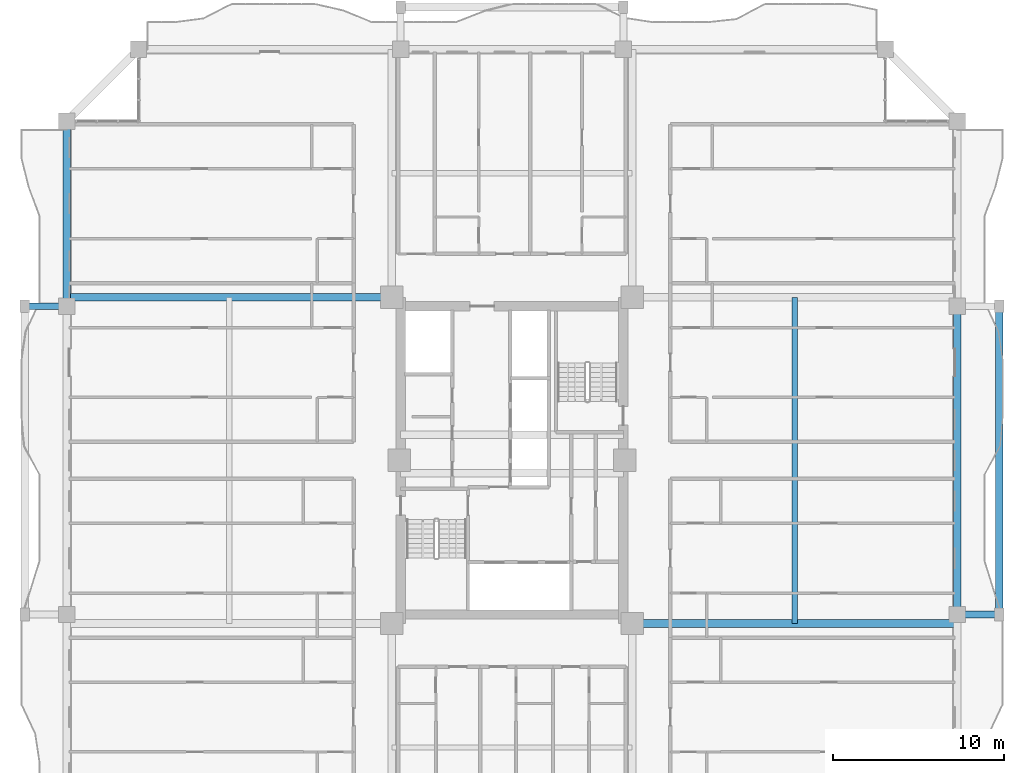
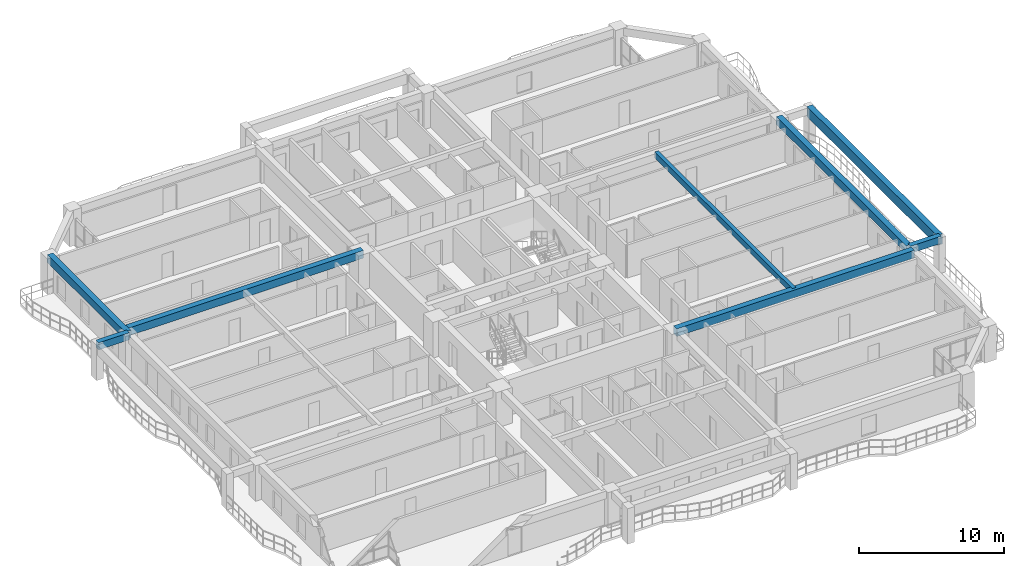
# One storey, part 5 of 25: 8 beams.
"""IFC4 building model written with IfcOpenShell, lengths in metres."""

from ifc_helpers import new_model, si_unit, direction, frame, origin, origin_2d, place, context, subcontext, project, spatial, rectangle, extrude, source, transform, mapped, material, material_profile, profile_set, type_object, element, save


model = new_model("IFC4")

# Units and contexts
model_context = context("Model", 3, precision=1e-05, world=origin(), true_north=direction((0.0, 1.0)))
body_context = subcontext(model_context, "Body", "Model", "MODEL_VIEW")
ifc_project = project(units=[si_unit("LENGTHUNIT", "METRE"), si_unit("AREAUNIT", "SQUARE_METRE"), si_unit("VOLUMEUNIT", "CUBIC_METRE"), si_unit("PLANEANGLEUNIT", "RADIAN"), si_unit("MASSUNIT", "GRAM", prefix="KILO")], contexts=[model_context])

# Site, building, storey
site_placement = place(None, origin())
site = spatial("IfcSite", under=ifc_project, at=site_placement, CompositionType="ELEMENT")
building_placement = place(site_placement, origin())
building = spatial("IfcBuilding", under=site, at=building_placement, Name="Saelheon Loggia Tower", CompositionType="ELEMENT")
storey_placement = place(building_placement, frame((0.0, 0.0, 107.85009765625)))
storey = spatial("IfcBuildingStorey", under=building, at=storey_placement, Name="L34", CompositionType="ELEMENT", Elevation=107.85009765625)

# Beams
ifc_material_1 = material(Name="Precast Concrete C45/55", Category="concrete")
ifc_material_profile_1 = material_profile(ifc_material_1, rectangle(XDim=0.39990234375, YDim=0.60009765625, at=origin_2d()), Name="RC-400x600")
ifc_profile_set_1 = profile_set([ifc_material_profile_1], Name="Precast Concrete C45/55")
beam_type_1 = type_object("IfcBeamType", Name="Beam_LoggiaTie_RC400x600", PredefinedType="BEAM", material=ifc_profile_set_1)
shared_shape_1 = source(origin(), body_context, "Body", "SweptSolid", [
    extrude(rectangle(XDim=0.39990234375, YDim=0.60009765625, at=origin_2d()), origin(), (0.0, 0.0, 1.0), 2.449951171875),
])
for number, where, z_axis, x_axis, name in (
    (1, (64.0, 18.0, 2.699951171875), (1.0, 0.0, 0.0), (0.0, 1.0, 0.0), "L34 Loggia Frame Tie Beam LP-E1"),
    (2, (12.0, 36.0, 2.699951171875), (-1.0, 0.0, 0.0), (0.0, -1.0, 0.0), "L34 Loggia Frame Tie Beam LP-W2"),
):
    element("IfcBeam", number, at=place(storey_placement, frame(where, z_axis=z_axis, x_axis=x_axis)), inside=storey, type_object=beam_type_1, Name=name, PredefinedType="BEAM", context=body_context, shape_type="MappedRepresentation", body=[
        mapped(shared_shape_1, transform((0.0, 0.0, 0.0), scale=1.0)),
    ])
ifc_material_profile_2 = material_profile(ifc_material_1, rectangle(XDim=0.449951171875, YDim=0.85009765625, at=origin_2d()), Name="RC-450x850")
ifc_profile_set_2 = profile_set([ifc_material_profile_2], Name="Precast Concrete C45/55")
beam_type_2 = type_object("IfcBeamType", Name="Beam_LoggiaSpandrel_RC450x850", PredefinedType="SPANDREL", material=ifc_profile_set_2)
shared_shape_2 = source(origin(), body_context, "Body", "SweptSolid", [
    extrude(rectangle(XDim=0.449951171875, YDim=0.85009765625, at=origin_2d()), origin(), (0.0, 0.0, 1.0), 18.0),
])
beam_1_placement = place(storey_placement, frame((66.449951171875, 18.0, 2.574951171875), z_axis=(0.0, 1.0, 0.0), x_axis=(-1.0, 0.0, 0.0)))
element("IfcBeam", 3, at=beam_1_placement, inside=storey, type_object=beam_type_2, Name="L34 Loggia Spandrel Beam E", PredefinedType="SPANDREL", context=body_context, shape_type="MappedRepresentation", body=[
    mapped(shared_shape_2, transform((0.0, 0.0, 0.0), scale=1.0)),
])
ifc_material_2 = material(Name="Concrete C40/50", Category="concrete")
ifc_material_profile_3 = material_profile(ifc_material_2, rectangle(XDim=0.449951171875, YDim=0.64990234375, at=origin_2d()), Name="RC-450x650")
ifc_profile_set_3 = profile_set([ifc_material_profile_3], Name="Concrete C40/50")
beam_type_3 = type_object("IfcBeamType", Name="Beam_PerimTower_RC450x650", PredefinedType="BEAM", material=ifc_profile_set_3)
shared_shape_3 = source(origin(), body_context, "Body", "SweptSolid", [
    extrude(rectangle(XDim=0.449951171875, YDim=0.64990234375, at=origin_2d()), origin(), (0.0, 0.0, 1.0), 10.800048828125),
])
beam_2_placement = place(storey_placement, frame((12.0, 46.800048828125, 2.6748046875), z_axis=(0.0, -1.0, 0.0), x_axis=(1.0, 0.0, 0.0)))
element("IfcBeam", 4, at=beam_2_placement, inside=storey, type_object=beam_type_3, Name="L34 Perimeter Frame Girder 13", PredefinedType="BEAM", context=body_context, shape_type="MappedRepresentation", body=[
    mapped(shared_shape_3, transform((0.0, 0.0, 0.0), scale=1.0)),
])
shared_shape_4 = source(origin(), body_context, "Body", "SweptSolid", [
    extrude(rectangle(XDim=0.449951171875, YDim=0.64990234375, at=origin_2d()), origin(), (0.0, 0.0, 1.0), 18.0),
])
beam_3_placement = place(storey_placement, frame((64.0, 18.0, 2.6748046875), z_axis=(0.0, 1.0, 0.0), x_axis=(-1.0, 0.0, 0.0)))
element("IfcBeam", 5, at=beam_3_placement, inside=storey, type_object=beam_type_3, Name="L34 Perimeter Frame Girder 06", PredefinedType="BEAM", context=body_context, shape_type="MappedRepresentation", body=[
    mapped(shared_shape_4, transform((0.0, 0.0, 0.0), scale=1.0)),
])
ifc_material_profile_4 = material_profile(ifc_material_2, rectangle(XDim=0.449951171875, YDim=0.64990234375, at=origin_2d()), Name="RC-450x650")
ifc_profile_set_4 = profile_set([ifc_material_profile_4], Name="Concrete C40/50")
beam_type_4 = type_object("IfcBeamType", Name="Beam_TowerGirder_RC450x650", PredefinedType="BEAM", material=ifc_profile_set_4)
shared_shape_5 = source(origin(), body_context, "Body", "SweptSolid", [
    extrude(rectangle(XDim=0.449951171875, YDim=0.64990234375, at=origin_2d()), origin(), (0.0, 0.0, 1.0), 18.97998046875),
])
for number, where, z_axis, x_axis, name in (
    (6, (30.97998046875, 36.52001953125, 2.6748046875), (-1.0, 0.0, 0.0), (0.0, -1.0, 0.0), "L34 Radial Floor Girder RAD-NW-W"),
    (7, (45.02001953125, 17.47998046875, 2.6748046875), (1.0, 0.0, 0.0), (0.0, 1.0, 0.0), "L34 Radial Floor Girder RAD-SE-E"),
):
    element("IfcBeam", number, at=place(storey_placement, frame(where, z_axis=z_axis, x_axis=x_axis)), inside=storey, type_object=beam_type_4, Name=name, PredefinedType="BEAM", context=body_context, shape_type="MappedRepresentation", body=[
        mapped(shared_shape_5, transform((0.0, 0.0, 0.0), scale=1.0)),
    ])
ifc_material_profile_5 = material_profile(ifc_material_2, rectangle(XDim=0.300048828125, YDim=0.5, at=origin_2d()), Name="RC-300x500")
ifc_profile_set_5 = profile_set([ifc_material_profile_5], Name="Concrete C40/50")
beam_type_5 = type_object("IfcBeamType", Name="Beam_Joist_RC300x500", PredefinedType="JOIST", material=ifc_profile_set_5)
shared_shape_6 = source(origin(), body_context, "Body", "SweptSolid", [
    extrude(rectangle(XDim=0.300048828125, YDim=0.5, at=origin_2d()), origin(), (0.0, 0.0, 1.0), 19.0400390625),
])
beam_4_placement = place(storey_placement, frame((54.510009765625, 17.47998046875, 2.75), z_axis=(0.0, 1.0, 0.0), x_axis=(-1.0, 0.0, 0.0)))
element("IfcBeam", 8, at=beam_4_placement, inside=storey, type_object=beam_type_5, Name="L34 East Floor Joist", PredefinedType="JOIST", context=body_context, shape_type="MappedRepresentation", body=[
    mapped(shared_shape_6, transform((0.0, 0.0, 0.0), scale=1.0)),
])

save(model, "model.ifc")
